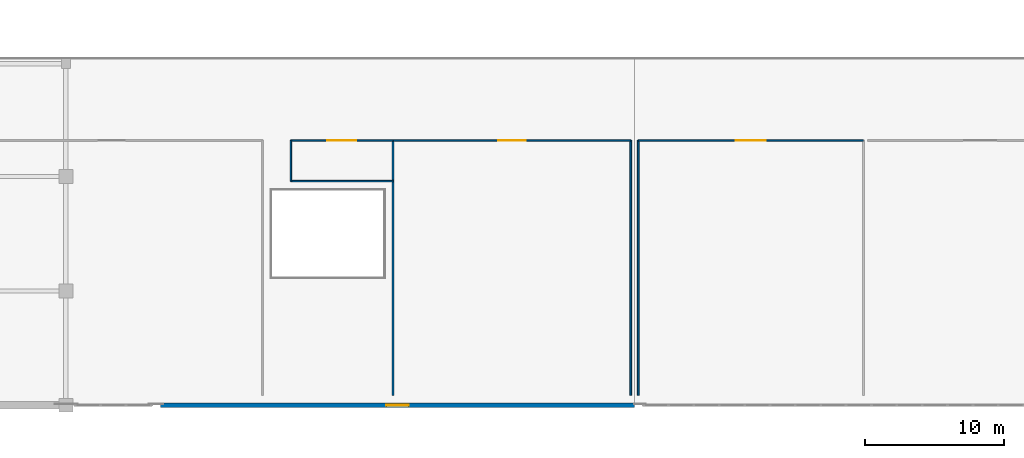
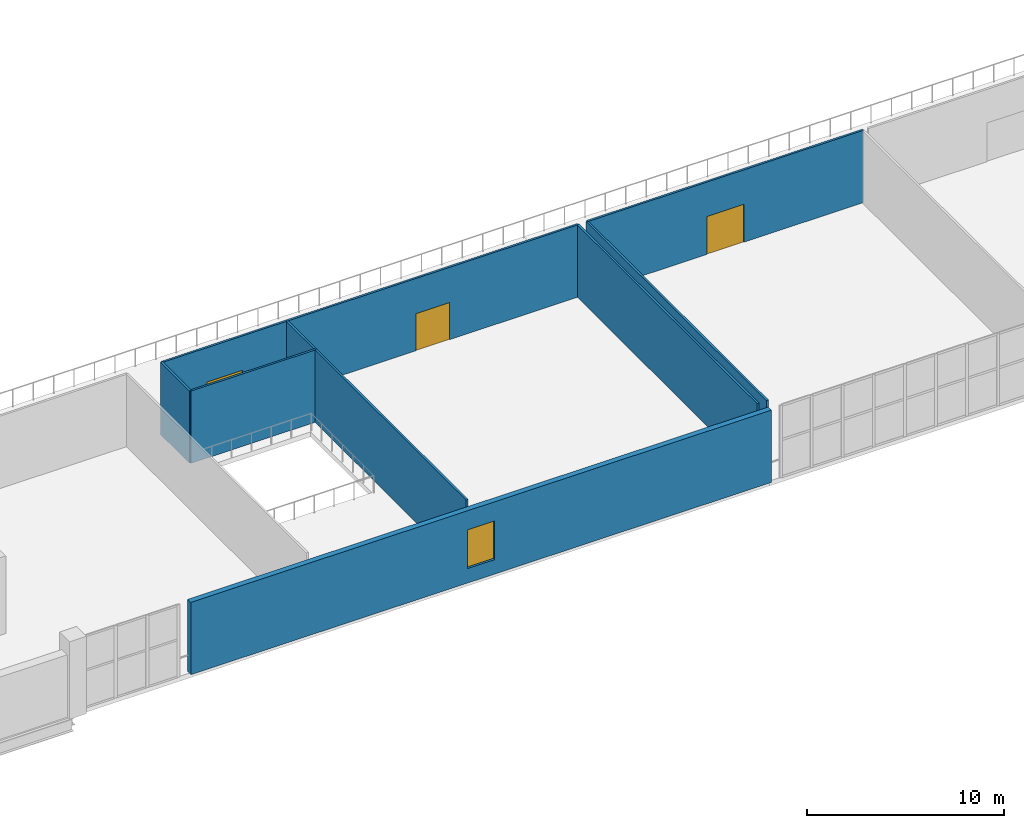
# One storey, part 91 of 142: 9 walls, 3 doors, 1 window, 4 openings.
"""IFC4 building model written with IfcOpenShell, lengths in metres."""

from ifc_helpers import new_model, si_unit, direction, frame, frame_2d, origin, place, context, subcontext, project, spatial, rectangle, extrude, material, layer, layer_set, type_object, element, fill, save


model = new_model("IFC4")

# Units and contexts
model_context = context("Model", 3, precision=1e-05, world=origin(), true_north=direction((0.0, 1.0)))
body_context = subcontext(model_context, "Body", "Model", "MODEL_VIEW")
ifc_project = project(units=[si_unit("LENGTHUNIT", "METRE"), si_unit("AREAUNIT", "SQUARE_METRE"), si_unit("VOLUMEUNIT", "CUBIC_METRE"), si_unit("PLANEANGLEUNIT", "RADIAN"), si_unit("MASSUNIT", "GRAM", prefix="KILO")], contexts=[model_context])

# Site, building, storey
site_placement = place(None, origin())
site = spatial("IfcSite", under=ifc_project, at=site_placement, CompositionType="ELEMENT")
building_placement = place(site_placement, origin())
building = spatial("IfcBuilding", under=site, at=building_placement, Name="Koshinbarg Plaza Stadium", CompositionType="ELEMENT")
storey_placement = place(building_placement, frame((0.0, 0.0, 10.199951171875)))
storey = spatial("IfcBuildingStorey", under=building, at=storey_placement, Name="L02", CompositionType="ELEMENT", Elevation=10.199951171875)

# Wall, opening, window
ifc_material_1 = material(Name="Ultramarine-blue pigmented mineral plaster facade wall", Category="masonry")
ifc_layer_1 = layer(ifc_material_1, 0.320068359375)
ifc_layer_set_1 = layer_set([ifc_layer_1], Name="Ultramarine-blue pigmented mineral plaster facade wall")
wall_type_1 = type_object("IfcWallType", Name="WL-EXT-320", PredefinedType="SOLIDWALL", material=ifc_layer_set_1)
wall_1_placement = place(storey_placement, frame((122.0, 0.0, 0.0), z_axis=(0.0, 0.0, 1.0), x_axis=(-1.0, 0.0, 0.0)))
wall_1 = element("IfcWall", 1, at=wall_1_placement, inside=storey, type_object=wall_type_1, Name="L02 exterior envelope wall EWL-L02-0138", PredefinedType="SOLIDWALL", context=body_context, shape_type="SweptSolid", body=[
    extrude(rectangle(XDim=34.0, YDim=0.320068359375, at=frame_2d((17.0, 0.0))), origin(), (0.0, 0.0, 1.0), 4.47998046875),
])
opening_1_placement = place(wall_1_placement, frame((16.199951171875, 0.0, 0.89990234375)))
opening_1 = element("IfcOpeningElement", 2, at=opening_1_placement, cuts=wall_1, Name="Opening WN19", PredefinedType="OPENING", context=body_context, shape_type="SweptSolid", body=[
    extrude(rectangle(XDim=1.60009765625, YDim=2.39990234375, at=frame_2d((0.800048828125, 1.199951171875))), frame((0.0, 0.169921875, 0.0), z_axis=(0.0, -1.0, 0.0), x_axis=(1.0, 0.0, 0.0)), (0.0, 0.0, 1.0), 0.340087890625),
])
ifc_material_2 = material(Name="Solar-control double glazing in thermally broken aluminium frame", Category="aluminium")
window_type = type_object("IfcWindowType", Name="WN-FAC-19", PartitioningType="DOUBLE_PANEL_VERTICAL", PredefinedType="WINDOW", material=ifc_material_2)
window_placement = place(opening_1_placement, origin())
window = element("IfcWindow", 3, at=window_placement, inside=storey, type_object=window_type, Name="L02 facade window 0074", OverallHeight=2.39990234375, OverallWidth=1.60009765625, PartitioningType="SINGLE_PANEL", PredefinedType="WINDOW", context=body_context, shape_type="SweptSolid", body=[
    extrude(rectangle(XDim=1.60009765625, YDim=2.39990234375, at=frame_2d((0.800048828125, 1.199951171875))), frame((0.0, 0.030029296875, 0.0), z_axis=(0.0, -1.0, 0.0), x_axis=(1.0, 0.0, 0.0)), (0.0, 0.0, 1.0), 0.06005859375),
])
fill(opening_1, window)

# Wall
ifc_material_3 = material(Name="Gypsum board metal-stud acoustic partition")
ifc_layer_2 = layer(ifc_material_3, 0.1201171875)
ifc_layer_set_2 = layer_set([ifc_layer_2], Name="Gypsum board metal-stud acoustic partition")
wall_type_2 = type_object("IfcWallType", Name="WL-PART-120", PredefinedType="PARTITIONING", material=ifc_layer_set_2)
wall_2_placement = place(storey_placement, frame((121.72998046875, 0.699951171875, 0.0), z_axis=(0.0, 0.0, 1.0), x_axis=(0.0, 1.0, 0.0)))
element("IfcWall", 4, at=wall_2_placement, inside=storey, type_object=wall_type_2, Name="L02 interior partition L02-131-east IWL-L02-1821", PredefinedType="PARTITIONING", context=body_context, shape_type="SweptSolid", body=[
    extrude(rectangle(XDim=18.300048828125, YDim=0.1201171875, at=frame_2d((9.14990234375, 0.0))), origin(), (0.0, 0.0, 1.0), 4.47998046875),
])

# Wall, opening, door
wall_3_placement = place(storey_placement, frame((121.72998046875, 19.0, 0.0), z_axis=(0.0, 0.0, 1.0), x_axis=(-1.0, 0.0, 0.0)))
wall_3 = element("IfcWall", 5, at=wall_3_placement, inside=storey, type_object=wall_type_2, Name="L02 interior partition L02-131-north IWL-L02-1822", PredefinedType="PARTITIONING", context=body_context, shape_type="SweptSolid", body=[
    extrude(rectangle(XDim=17.050048828125, YDim=0.1201171875, at=frame_2d((8.52490234375, 0.0))), origin(), (0.0, 0.0, 1.0), 4.47998046875),
])
opening_2_placement = place(wall_3_placement, frame((7.544921875, 0.0, 0.0)))
opening_2 = element("IfcOpeningElement", 6, at=opening_2_placement, cuts=wall_3, Name="Opening D-0618", PredefinedType="OPENING", context=body_context, shape_type="SweptSolid", body=[
    extrude(rectangle(XDim=1.9599609375, YDim=2.300048828125, at=frame_2d((0.97998046875, 1.14990234375))), frame((0.0, 0.070068359375, 0.0), z_axis=(0.0, -1.0, 0.0), x_axis=(1.0, 0.0, 0.0)), (0.0, 0.0, 1.0), 0.14013671875),
])
ifc_material_4 = material(Name="Bronze-anodised aluminium glazed double door", Category="aluminium")
door_type_1 = type_object("IfcDoorType", Name="DR-INT-1960x2300", OperationType="NOTDEFINED", PredefinedType="DOOR", material=ifc_material_4)
door_1_placement = place(opening_2_placement, origin())
door_1 = element("IfcDoor", 7, at=door_1_placement, inside=storey, type_object=door_type_1, Name="L02 South Club Reception Salon door D-0618", OperationType="DOUBLE_DOOR_SINGLE_SWING", OverallHeight=2.300048828125, OverallWidth=1.9599609375, PredefinedType="DOOR", context=body_context, shape_type="SweptSolid", body=[
    extrude(rectangle(XDim=1.9599609375, YDim=2.300048828125, at=frame_2d((0.97998046875, 1.14990234375))), frame((0.0, 0.02490234375, 0.0), z_axis=(0.0, -1.0, 0.0), x_axis=(1.0, 0.0, 0.0)), (0.0, 0.0, 1.0), 0.050048828125),
])
fill(opening_2, door_1)

# Walls
wall_4_placement = place(storey_placement, frame((104.679931640625, 19.0, 0.0), z_axis=(0.0, 0.0, 1.0), x_axis=(0.0, -1.0, 0.0)))
element("IfcWall", 8, at=wall_4_placement, inside=storey, type_object=wall_type_2, Name="L02 interior partition L02-131-west IWL-L02-1823", PredefinedType="PARTITIONING", context=body_context, shape_type="SweptSolid", body=[
    extrude(rectangle(XDim=18.300048828125, YDim=0.1201171875, at=frame_2d((9.14990234375, 0.0))), origin(), (0.0, 0.0, 1.0), 4.47998046875),
])
wall_5_placement = place(storey_placement, frame((97.35009765625, 16.080078125, 0.0), z_axis=(0.0, 0.0, 1.0), x_axis=(1.0, 0.0, 0.0)))
element("IfcWall", 9, at=wall_5_placement, inside=storey, type_object=wall_type_2, Name="L02 interior partition L02-132-south IWL-L02-1824", PredefinedType="PARTITIONING", context=body_context, shape_type="SweptSolid", body=[
    extrude(rectangle(XDim=7.329833984375, YDim=0.1201171875, at=frame_2d((3.6650390625, 0.0))), origin(), (0.0, 0.0, 1.0), 4.47998046875),
])

# Wall, opening, door
wall_6_placement = place(storey_placement, frame((104.679931640625, 19.0, 0.0), z_axis=(0.0, 0.0, 1.0), x_axis=(-1.0, 0.0, 0.0)))
wall_6 = element("IfcWall", 10, at=wall_6_placement, inside=storey, type_object=wall_type_2, Name="L02 interior partition L02-132-north IWL-L02-1825", PredefinedType="PARTITIONING", context=body_context, shape_type="SweptSolid", body=[
    extrude(rectangle(XDim=7.329833984375, YDim=0.1201171875, at=frame_2d((3.6650390625, 0.0))), origin(), (0.0, 0.0, 1.0), 4.47998046875),
])
opening_3_placement = place(wall_6_placement, frame((2.625, 0.0, 0.0)))
opening_3 = element("IfcOpeningElement", 11, at=opening_3_placement, cuts=wall_6, Name="Opening D-0619", PredefinedType="OPENING", context=body_context, shape_type="SweptSolid", body=[
    extrude(rectangle(XDim=2.080078125, YDim=2.35009765625, at=frame_2d((1.0400390625, 1.175048828125))), frame((0.0, 0.070068359375, 0.0), z_axis=(0.0, -1.0, 0.0), x_axis=(1.0, 0.0, 0.0)), (0.0, 0.0, 1.0), 0.14013671875),
])
ifc_material_5 = material(Name="Laminated safety glass aluminium vestibule door", Category="aluminium")
door_type_2 = type_object("IfcDoorType", Name="DR-INT-2080x2350", OperationType="NOTDEFINED", PredefinedType="DOOR", material=ifc_material_5)
door_2_placement = place(opening_3_placement, origin())
door_2 = element("IfcDoor", 12, at=door_2_placement, inside=storey, type_object=door_type_2, Name="L02 Grand Civic Banquet Hall door D-0619", OperationType="DOUBLE_DOOR_SINGLE_SWING", OverallHeight=2.35009765625, OverallWidth=2.080078125, PredefinedType="DOOR", context=body_context, shape_type="SweptSolid", body=[
    extrude(rectangle(XDim=2.080078125, YDim=2.35009765625, at=frame_2d((1.0400390625, 1.175048828125))), frame((0.0, 0.02490234375, 0.0), z_axis=(0.0, -1.0, 0.0), x_axis=(1.0, 0.0, 0.0)), (0.0, 0.0, 1.0), 0.050048828125),
])
fill(opening_3, door_2)

# Wall
wall_7_placement = place(storey_placement, frame((97.35009765625, 19.0, 0.0), z_axis=(0.0, 0.0, 1.0), x_axis=(0.0, -1.0, 0.0)))
element("IfcWall", 13, at=wall_7_placement, inside=storey, type_object=wall_type_2, Name="L02 interior partition L02-132-west IWL-L02-1826", PredefinedType="PARTITIONING", context=body_context, shape_type="SweptSolid", body=[
    extrude(rectangle(XDim=2.919921875, YDim=0.1201171875, at=frame_2d((1.4599609375, 0.0))), origin(), (0.0, 0.0, 1.0), 4.47998046875),
])

# Wall, opening, door
wall_8_placement = place(storey_placement, frame((138.42333984375, 19.0, 0.0), z_axis=(0.0, 0.0, 1.0), x_axis=(-1.0, 0.0, 0.0)))
wall_8 = element("IfcWall", 14, at=wall_8_placement, inside=storey, type_object=wall_type_2, Name="L02 interior partition L02-133-north IWL-L02-1828", PredefinedType="PARTITIONING", context=body_context, shape_type="SweptSolid", body=[
    extrude(rectangle(XDim=16.1533203125, YDim=0.1201171875, at=frame_2d((8.07666015625, 0.0))), origin(), (0.0, 0.0, 1.0), 4.47998046875),
])
opening_4_placement = place(wall_8_placement, frame((6.99658203125, 0.0, 0.0)))
opening_4 = element("IfcOpeningElement", 15, at=opening_4_placement, cuts=wall_8, Name="Opening D-0620", PredefinedType="OPENING", context=body_context, shape_type="SweptSolid", body=[
    extrude(rectangle(XDim=2.159912109375, YDim=2.35009765625, at=frame_2d((1.080078125, 1.175048828125))), frame((0.0, 0.070068359375, 0.0), z_axis=(0.0, -1.0, 0.0), x_axis=(1.0, 0.0, 0.0)), (0.0, 0.0, 1.0), 0.14013671875),
])
ifc_material_6 = material(Name="Galvanized painted steel double leaf door", Category="steel")
door_type_3 = type_object("IfcDoorType", Name="DR-INT-2160x2350", OperationType="NOTDEFINED", PredefinedType="DOOR", material=ifc_material_6)
door_3_placement = place(opening_4_placement, origin())
door_3 = element("IfcDoor", 16, at=door_3_placement, inside=storey, type_object=door_type_3, Name="L02 South Club Reception Salon door D-0620", OperationType="DOUBLE_DOOR_SINGLE_SWING", OverallHeight=2.35009765625, OverallWidth=2.159912109375, PredefinedType="DOOR", context=body_context, shape_type="SweptSolid", body=[
    extrude(rectangle(XDim=2.159912109375, YDim=2.35009765625, at=frame_2d((1.080078125, 1.175048828125))), frame((0.0, 0.02490234375, 0.0), z_axis=(0.0, -1.0, 0.0), x_axis=(1.0, 0.0, 0.0)), (0.0, 0.0, 1.0), 0.050048828125),
])
fill(opening_4, door_3)

# Wall
wall_9_placement = place(storey_placement, frame((122.27001953125, 19.0, 0.0), z_axis=(0.0, 0.0, 1.0), x_axis=(0.0, -1.0, 0.0)))
element("IfcWall", 17, at=wall_9_placement, inside=storey, type_object=wall_type_2, Name="L02 interior partition L02-133-west IWL-L02-1829", PredefinedType="PARTITIONING", context=body_context, shape_type="SweptSolid", body=[
    extrude(rectangle(XDim=18.300048828125, YDim=0.1201171875, at=frame_2d((9.14990234375, 0.0))), origin(), (0.0, 0.0, 1.0), 4.47998046875),
])

save(model, "model.ifc")
